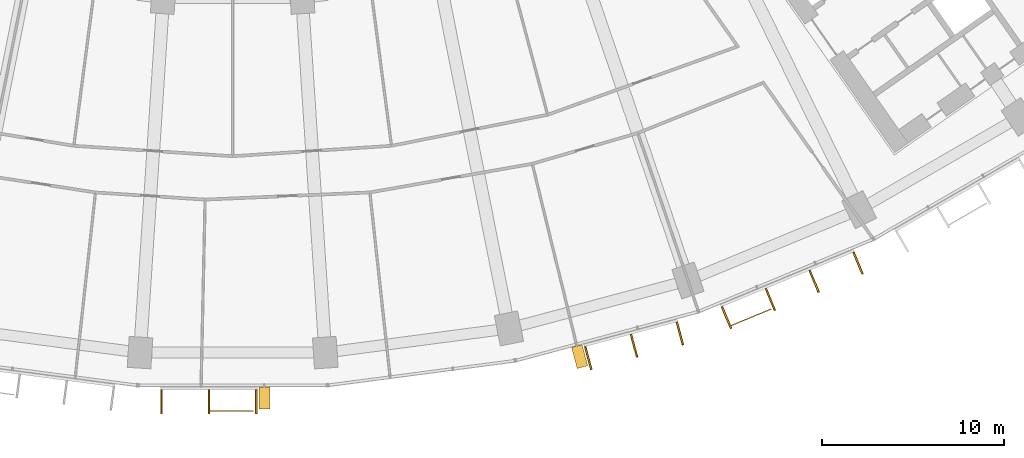
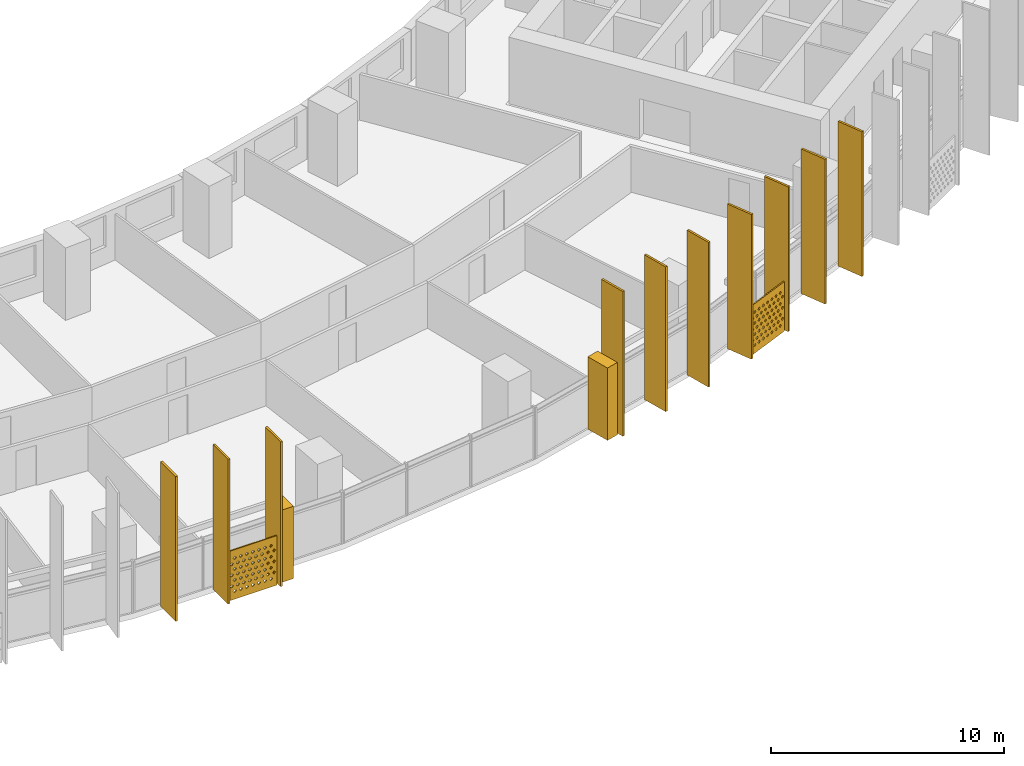
# One storey, part 28 of 31: 14 shading devices.
"""IFC4 building model written with IfcOpenShell, lengths in metres."""

from ifc_helpers import new_model, si_unit, direction, frame, origin, origin_2d, place, context, subcontext, project, spatial, polyline, rectangle, outline, extrude, material, material_profile, profile_set, type_object, element, save


model = new_model("IFC4")

# Units and contexts
model_context = context("Model", 3, precision=1e-05, world=origin(), true_north=direction((0.0, 1.0)))
body_context = subcontext(model_context, "Body", "Model", "MODEL_VIEW")
ifc_project = project(units=[si_unit("LENGTHUNIT", "METRE"), si_unit("AREAUNIT", "SQUARE_METRE"), si_unit("VOLUMEUNIT", "CUBIC_METRE"), si_unit("PLANEANGLEUNIT", "RADIAN"), si_unit("MASSUNIT", "GRAM", prefix="KILO")], contexts=[model_context])

# Site, building, storey
site_placement = place(None, origin())
site = spatial("IfcSite", under=ifc_project, at=site_placement, CompositionType="ELEMENT")
building_placement = place(site_placement, origin())
building = spatial("IfcBuilding", under=site, at=building_placement, Name="Qamariyya Broadcast Tower", CompositionType="ELEMENT")
storey_placement = place(building_placement, frame((0.0, 0.0, 48.10009765625)))
storey = spatial("IfcBuildingStorey", under=building, at=storey_placement, Name="L08", CompositionType="ELEMENT", Elevation=48.10009765625)

# Shading devices
ifc_material_1 = material(Name="Steel S355 powder coated deep red", Category="steel")
shading_device_type_1 = type_object("IfcShadingDeviceType", Name="Deep red frame, powder coated steel box section", PredefinedType="USERDEFINED", material=ifc_material_1)
shading_device_1_placement = place(storey_placement, origin())
element("IfcShadingDevice", 1, at=shading_device_1_placement, inside=storey, type_object=shading_device_type_1, Name="e-frm-B1-F4-posta-L08", ObjectType="FRAME", PredefinedType="USERDEFINED", context=body_context, shape_type="SweptSolid", body=[
    extrude(outline(polyline([(1.4365234375, -79.4794921875), (1.4365234375, -80.679443359375), (2.036376953125, -80.679443359375), (2.036376953125, -79.4794921875), (1.4365234375, -79.4794921875)])), origin(), (0.0, 0.0, 1.0), 3.7998046875),
])
shading_device_2_placement = place(storey_placement, origin())
element("IfcShadingDevice", 2, at=shading_device_2_placement, inside=storey, type_object=shading_device_type_1, Name="e-frm-B1-F4-postb-L08", ObjectType="FRAME", PredefinedType="USERDEFINED", context=body_context, shape_type="SweptSolid", body=[
    extrude(outline(polyline([(18.603759765625, -77.29833984375), (18.914306640625, -78.45751953125), (19.493896484375, -78.30224609375), (19.183349609375, -77.14306640625), (18.603759765625, -77.29833984375)])), origin(), (0.0, 0.0, 1.0), 3.7998046875),
])
ifc_material_2 = material(Name="Perforated glazed terracotta", Category="masonry")
ifc_material_profile_1 = material_profile(ifc_material_2, outline(polyline([(-1.199951171875, -1.300048828125), (1.199951171875, -1.300048828125), (1.199951171875, 1.300048828125), (-1.199951171875, 1.300048828125), (-1.199951171875, -1.300048828125)]), holes=[polyline([(-0.81494140625, -0.86669921875), (-0.89990234375, -0.78173828125), (-0.985107421875, -0.86669921875), (-0.89990234375, -0.95166015625), (-0.81494140625, -0.86669921875)]), polyline([(-0.514892578125, -0.86669921875), (-0.60009765625, -0.78173828125), (-0.68505859375, -0.86669921875), (-0.60009765625, -0.95166015625), (-0.514892578125, -0.86669921875)]), polyline([(-0.215087890625, -0.86669921875), (-0.300048828125, -0.78173828125), (-0.385009765625, -0.86669921875), (-0.300048828125, -0.95166015625), (-0.215087890625, -0.86669921875)]), polyline([(0.0849609375, -0.86669921875), (0.0, -0.78173828125), (-0.0849609375, -0.86669921875), (0.0, -0.95166015625), (0.0849609375, -0.86669921875)]), polyline([(0.385009765625, -0.86669921875), (0.300048828125, -0.78173828125), (0.215087890625, -0.86669921875), (0.300048828125, -0.95166015625), (0.385009765625, -0.86669921875)]), polyline([(0.68505859375, -0.86669921875), (0.60009765625, -0.78173828125), (0.514892578125, -0.86669921875), (0.60009765625, -0.95166015625), (0.68505859375, -0.86669921875)]), polyline([(0.985107421875, -0.86669921875), (0.89990234375, -0.78173828125), (0.81494140625, -0.86669921875), (0.89990234375, -0.95166015625), (0.985107421875, -0.86669921875)]), polyline([(-0.965087890625, -0.577880859375), (-1.050048828125, -0.49267578125), (-1.135009765625, -0.577880859375), (-1.050048828125, -0.662841796875), (-0.965087890625, -0.577880859375)]), polyline([(-0.6650390625, -0.577880859375), (-0.75, -0.49267578125), (-0.8349609375, -0.577880859375), (-0.75, -0.662841796875), (-0.6650390625, -0.577880859375)]), polyline([(-0.364990234375, -0.577880859375), (-0.449951171875, -0.49267578125), (-0.534912109375, -0.577880859375), (-0.449951171875, -0.662841796875), (-0.364990234375, -0.577880859375)]), polyline([(-0.06494140625, -0.577880859375), (-0.14990234375, -0.49267578125), (-0.235107421875, -0.577880859375), (-0.14990234375, -0.662841796875), (-0.06494140625, -0.577880859375)]), polyline([(0.235107421875, -0.577880859375), (0.14990234375, -0.49267578125), (0.06494140625, -0.577880859375), (0.14990234375, -0.662841796875), (0.235107421875, -0.577880859375)]), polyline([(0.534912109375, -0.577880859375), (0.449951171875, -0.49267578125), (0.364990234375, -0.577880859375), (0.449951171875, -0.662841796875), (0.534912109375, -0.577880859375)]), polyline([(0.8349609375, -0.577880859375), (0.75, -0.49267578125), (0.6650390625, -0.577880859375), (0.75, -0.662841796875), (0.8349609375, -0.577880859375)]), polyline([(1.135009765625, -0.577880859375), (1.050048828125, -0.49267578125), (0.965087890625, -0.577880859375), (1.050048828125, -0.662841796875), (1.135009765625, -0.577880859375)]), polyline([(-0.81494140625, -0.288818359375), (-0.89990234375, -0.203857421875), (-0.985107421875, -0.288818359375), (-0.89990234375, -0.373779296875), (-0.81494140625, -0.288818359375)]), polyline([(-0.514892578125, -0.288818359375), (-0.60009765625, -0.203857421875), (-0.68505859375, -0.288818359375), (-0.60009765625, -0.373779296875), (-0.514892578125, -0.288818359375)]), polyline([(-0.215087890625, -0.288818359375), (-0.300048828125, -0.203857421875), (-0.385009765625, -0.288818359375), (-0.300048828125, -0.373779296875), (-0.215087890625, -0.288818359375)]), polyline([(0.0849609375, -0.288818359375), (0.0, -0.203857421875), (-0.0849609375, -0.288818359375), (0.0, -0.373779296875), (0.0849609375, -0.288818359375)]), polyline([(0.385009765625, -0.288818359375), (0.300048828125, -0.203857421875), (0.215087890625, -0.288818359375), (0.300048828125, -0.373779296875), (0.385009765625, -0.288818359375)]), polyline([(0.68505859375, -0.288818359375), (0.60009765625, -0.203857421875), (0.514892578125, -0.288818359375), (0.60009765625, -0.373779296875), (0.68505859375, -0.288818359375)]), polyline([(0.985107421875, -0.288818359375), (0.89990234375, -0.203857421875), (0.81494140625, -0.288818359375), (0.89990234375, -0.373779296875), (0.985107421875, -0.288818359375)]), polyline([(-0.965087890625, 0.0), (-1.050048828125, 0.0849609375), (-1.135009765625, 0.0), (-1.050048828125, -0.0849609375), (-0.965087890625, 0.0)]), polyline([(-0.6650390625, 0.0), (-0.75, 0.0849609375), (-0.8349609375, 0.0), (-0.75, -0.0849609375), (-0.6650390625, 0.0)]), polyline([(-0.364990234375, 0.0), (-0.449951171875, 0.0849609375), (-0.534912109375, 0.0), (-0.449951171875, -0.0849609375), (-0.364990234375, 0.0)]), polyline([(-0.06494140625, 0.0), (-0.14990234375, 0.0849609375), (-0.235107421875, 0.0), (-0.14990234375, -0.0849609375), (-0.06494140625, 0.0)]), polyline([(0.235107421875, 0.0), (0.14990234375, 0.0849609375), (0.06494140625, 0.0), (0.14990234375, -0.0849609375), (0.235107421875, 0.0)]), polyline([(0.534912109375, 0.0), (0.449951171875, 0.0849609375), (0.364990234375, 0.0), (0.449951171875, -0.0849609375), (0.534912109375, 0.0)]), polyline([(0.8349609375, 0.0), (0.75, 0.0849609375), (0.6650390625, 0.0), (0.75, -0.0849609375), (0.8349609375, 0.0)]), polyline([(1.135009765625, 0.0), (1.050048828125, 0.0849609375), (0.965087890625, 0.0), (1.050048828125, -0.0849609375), (1.135009765625, 0.0)]), polyline([(-0.81494140625, 0.288818359375), (-0.89990234375, 0.373779296875), (-0.985107421875, 0.288818359375), (-0.89990234375, 0.203857421875), (-0.81494140625, 0.288818359375)]), polyline([(-0.514892578125, 0.288818359375), (-0.60009765625, 0.373779296875), (-0.68505859375, 0.288818359375), (-0.60009765625, 0.203857421875), (-0.514892578125, 0.288818359375)]), polyline([(-0.215087890625, 0.288818359375), (-0.300048828125, 0.373779296875), (-0.385009765625, 0.288818359375), (-0.300048828125, 0.203857421875), (-0.215087890625, 0.288818359375)]), polyline([(0.0849609375, 0.288818359375), (0.0, 0.373779296875), (-0.0849609375, 0.288818359375), (0.0, 0.203857421875), (0.0849609375, 0.288818359375)]), polyline([(0.385009765625, 0.288818359375), (0.300048828125, 0.373779296875), (0.215087890625, 0.288818359375), (0.300048828125, 0.203857421875), (0.385009765625, 0.288818359375)]), polyline([(0.68505859375, 0.288818359375), (0.60009765625, 0.373779296875), (0.514892578125, 0.288818359375), (0.60009765625, 0.203857421875), (0.68505859375, 0.288818359375)]), polyline([(0.985107421875, 0.288818359375), (0.89990234375, 0.373779296875), (0.81494140625, 0.288818359375), (0.89990234375, 0.203857421875), (0.985107421875, 0.288818359375)]), polyline([(-0.965087890625, 0.577880859375), (-1.050048828125, 0.662841796875), (-1.135009765625, 0.577880859375), (-1.050048828125, 0.49267578125), (-0.965087890625, 0.577880859375)]), polyline([(-0.6650390625, 0.577880859375), (-0.75, 0.662841796875), (-0.8349609375, 0.577880859375), (-0.75, 0.49267578125), (-0.6650390625, 0.577880859375)]), polyline([(-0.364990234375, 0.577880859375), (-0.449951171875, 0.662841796875), (-0.534912109375, 0.577880859375), (-0.449951171875, 0.49267578125), (-0.364990234375, 0.577880859375)]), polyline([(-0.06494140625, 0.577880859375), (-0.14990234375, 0.662841796875), (-0.235107421875, 0.577880859375), (-0.14990234375, 0.49267578125), (-0.06494140625, 0.577880859375)]), polyline([(0.235107421875, 0.577880859375), (0.14990234375, 0.662841796875), (0.06494140625, 0.577880859375), (0.14990234375, 0.49267578125), (0.235107421875, 0.577880859375)]), polyline([(0.534912109375, 0.577880859375), (0.449951171875, 0.662841796875), (0.364990234375, 0.577880859375), (0.449951171875, 0.49267578125), (0.534912109375, 0.577880859375)]), polyline([(0.8349609375, 0.577880859375), (0.75, 0.662841796875), (0.6650390625, 0.577880859375), (0.75, 0.49267578125), (0.8349609375, 0.577880859375)]), polyline([(1.135009765625, 0.577880859375), (1.050048828125, 0.662841796875), (0.965087890625, 0.577880859375), (1.050048828125, 0.49267578125), (1.135009765625, 0.577880859375)]), polyline([(-0.81494140625, 0.86669921875), (-0.89990234375, 0.95166015625), (-0.985107421875, 0.86669921875), (-0.89990234375, 0.78173828125), (-0.81494140625, 0.86669921875)]), polyline([(-0.514892578125, 0.86669921875), (-0.60009765625, 0.95166015625), (-0.68505859375, 0.86669921875), (-0.60009765625, 0.78173828125), (-0.514892578125, 0.86669921875)]), polyline([(-0.215087890625, 0.86669921875), (-0.300048828125, 0.95166015625), (-0.385009765625, 0.86669921875), (-0.300048828125, 0.78173828125), (-0.215087890625, 0.86669921875)]), polyline([(0.0849609375, 0.86669921875), (0.0, 0.95166015625), (-0.0849609375, 0.86669921875), (0.0, 0.78173828125), (0.0849609375, 0.86669921875)]), polyline([(0.385009765625, 0.86669921875), (0.300048828125, 0.95166015625), (0.215087890625, 0.86669921875), (0.300048828125, 0.78173828125), (0.385009765625, 0.86669921875)]), polyline([(0.68505859375, 0.86669921875), (0.60009765625, 0.95166015625), (0.514892578125, 0.86669921875), (0.60009765625, 0.78173828125), (0.68505859375, 0.86669921875)]), polyline([(0.985107421875, 0.86669921875), (0.89990234375, 0.95166015625), (0.81494140625, 0.86669921875), (0.89990234375, 0.78173828125), (0.985107421875, 0.86669921875)])]))
ifc_profile_set_1 = profile_set([ifc_material_profile_1], Name="Perforated glazed terracotta")
shading_device_type_2 = type_object("IfcShadingDeviceType", Name="Perforated terracotta screen 2400 x 2600", PredefinedType="USERDEFINED", material=ifc_profile_set_1)
shading_device_3_placement = place(storey_placement, frame((-0.05224609375, -80.74951171875, 1.349853515625), z_axis=(0.0, -1.0, 0.0), x_axis=(1.0, 0.0, 0.0)))
element("IfcShadingDevice", 3, at=shading_device_3_placement, inside=storey, type_object=shading_device_type_2, Name="e-scr-L08-08-1", ObjectType="SCREEN", PredefinedType="USERDEFINED", context=body_context, shape_type="SweptSolid", body=[
    extrude(outline(polyline([(-1.199951171875, -1.300048828125), (1.199951171875, -1.300048828125), (1.199951171875, 1.300048828125), (-1.199951171875, 1.300048828125), (-1.199951171875, -1.300048828125)]), holes=[polyline([(-0.81494140625, -0.86669921875), (-0.89990234375, -0.78173828125), (-0.985107421875, -0.86669921875), (-0.89990234375, -0.95166015625), (-0.81494140625, -0.86669921875)]), polyline([(-0.514892578125, -0.86669921875), (-0.60009765625, -0.78173828125), (-0.68505859375, -0.86669921875), (-0.60009765625, -0.95166015625), (-0.514892578125, -0.86669921875)]), polyline([(-0.215087890625, -0.86669921875), (-0.300048828125, -0.78173828125), (-0.385009765625, -0.86669921875), (-0.300048828125, -0.95166015625), (-0.215087890625, -0.86669921875)]), polyline([(0.0849609375, -0.86669921875), (0.0, -0.78173828125), (-0.0849609375, -0.86669921875), (0.0, -0.95166015625), (0.0849609375, -0.86669921875)]), polyline([(0.385009765625, -0.86669921875), (0.300048828125, -0.78173828125), (0.215087890625, -0.86669921875), (0.300048828125, -0.95166015625), (0.385009765625, -0.86669921875)]), polyline([(0.68505859375, -0.86669921875), (0.60009765625, -0.78173828125), (0.514892578125, -0.86669921875), (0.60009765625, -0.95166015625), (0.68505859375, -0.86669921875)]), polyline([(0.985107421875, -0.86669921875), (0.89990234375, -0.78173828125), (0.81494140625, -0.86669921875), (0.89990234375, -0.95166015625), (0.985107421875, -0.86669921875)]), polyline([(-0.965087890625, -0.577880859375), (-1.050048828125, -0.49267578125), (-1.135009765625, -0.577880859375), (-1.050048828125, -0.662841796875), (-0.965087890625, -0.577880859375)]), polyline([(-0.6650390625, -0.577880859375), (-0.75, -0.49267578125), (-0.8349609375, -0.577880859375), (-0.75, -0.662841796875), (-0.6650390625, -0.577880859375)]), polyline([(-0.364990234375, -0.577880859375), (-0.449951171875, -0.49267578125), (-0.534912109375, -0.577880859375), (-0.449951171875, -0.662841796875), (-0.364990234375, -0.577880859375)]), polyline([(-0.06494140625, -0.577880859375), (-0.14990234375, -0.49267578125), (-0.235107421875, -0.577880859375), (-0.14990234375, -0.662841796875), (-0.06494140625, -0.577880859375)]), polyline([(0.235107421875, -0.577880859375), (0.14990234375, -0.49267578125), (0.06494140625, -0.577880859375), (0.14990234375, -0.662841796875), (0.235107421875, -0.577880859375)]), polyline([(0.534912109375, -0.577880859375), (0.449951171875, -0.49267578125), (0.364990234375, -0.577880859375), (0.449951171875, -0.662841796875), (0.534912109375, -0.577880859375)]), polyline([(0.8349609375, -0.577880859375), (0.75, -0.49267578125), (0.6650390625, -0.577880859375), (0.75, -0.662841796875), (0.8349609375, -0.577880859375)]), polyline([(1.135009765625, -0.577880859375), (1.050048828125, -0.49267578125), (0.965087890625, -0.577880859375), (1.050048828125, -0.662841796875), (1.135009765625, -0.577880859375)]), polyline([(-0.81494140625, -0.288818359375), (-0.89990234375, -0.203857421875), (-0.985107421875, -0.288818359375), (-0.89990234375, -0.373779296875), (-0.81494140625, -0.288818359375)]), polyline([(-0.514892578125, -0.288818359375), (-0.60009765625, -0.203857421875), (-0.68505859375, -0.288818359375), (-0.60009765625, -0.373779296875), (-0.514892578125, -0.288818359375)]), polyline([(-0.215087890625, -0.288818359375), (-0.300048828125, -0.203857421875), (-0.385009765625, -0.288818359375), (-0.300048828125, -0.373779296875), (-0.215087890625, -0.288818359375)]), polyline([(0.0849609375, -0.288818359375), (0.0, -0.203857421875), (-0.0849609375, -0.288818359375), (0.0, -0.373779296875), (0.0849609375, -0.288818359375)]), polyline([(0.385009765625, -0.288818359375), (0.300048828125, -0.203857421875), (0.215087890625, -0.288818359375), (0.300048828125, -0.373779296875), (0.385009765625, -0.288818359375)]), polyline([(0.68505859375, -0.288818359375), (0.60009765625, -0.203857421875), (0.514892578125, -0.288818359375), (0.60009765625, -0.373779296875), (0.68505859375, -0.288818359375)]), polyline([(0.985107421875, -0.288818359375), (0.89990234375, -0.203857421875), (0.81494140625, -0.288818359375), (0.89990234375, -0.373779296875), (0.985107421875, -0.288818359375)]), polyline([(-0.965087890625, 0.0), (-1.050048828125, 0.0849609375), (-1.135009765625, 0.0), (-1.050048828125, -0.0849609375), (-0.965087890625, 0.0)]), polyline([(-0.6650390625, 0.0), (-0.75, 0.0849609375), (-0.8349609375, 0.0), (-0.75, -0.0849609375), (-0.6650390625, 0.0)]), polyline([(-0.364990234375, 0.0), (-0.449951171875, 0.0849609375), (-0.534912109375, 0.0), (-0.449951171875, -0.0849609375), (-0.364990234375, 0.0)]), polyline([(-0.06494140625, 0.0), (-0.14990234375, 0.0849609375), (-0.235107421875, 0.0), (-0.14990234375, -0.0849609375), (-0.06494140625, 0.0)]), polyline([(0.235107421875, 0.0), (0.14990234375, 0.0849609375), (0.06494140625, 0.0), (0.14990234375, -0.0849609375), (0.235107421875, 0.0)]), polyline([(0.534912109375, 0.0), (0.449951171875, 0.0849609375), (0.364990234375, 0.0), (0.449951171875, -0.0849609375), (0.534912109375, 0.0)]), polyline([(0.8349609375, 0.0), (0.75, 0.0849609375), (0.6650390625, 0.0), (0.75, -0.0849609375), (0.8349609375, 0.0)]), polyline([(1.135009765625, 0.0), (1.050048828125, 0.0849609375), (0.965087890625, 0.0), (1.050048828125, -0.0849609375), (1.135009765625, 0.0)]), polyline([(-0.81494140625, 0.288818359375), (-0.89990234375, 0.373779296875), (-0.985107421875, 0.288818359375), (-0.89990234375, 0.203857421875), (-0.81494140625, 0.288818359375)]), polyline([(-0.514892578125, 0.288818359375), (-0.60009765625, 0.373779296875), (-0.68505859375, 0.288818359375), (-0.60009765625, 0.203857421875), (-0.514892578125, 0.288818359375)]), polyline([(-0.215087890625, 0.288818359375), (-0.300048828125, 0.373779296875), (-0.385009765625, 0.288818359375), (-0.300048828125, 0.203857421875), (-0.215087890625, 0.288818359375)]), polyline([(0.0849609375, 0.288818359375), (0.0, 0.373779296875), (-0.0849609375, 0.288818359375), (0.0, 0.203857421875), (0.0849609375, 0.288818359375)]), polyline([(0.385009765625, 0.288818359375), (0.300048828125, 0.373779296875), (0.215087890625, 0.288818359375), (0.300048828125, 0.203857421875), (0.385009765625, 0.288818359375)]), polyline([(0.68505859375, 0.288818359375), (0.60009765625, 0.373779296875), (0.514892578125, 0.288818359375), (0.60009765625, 0.203857421875), (0.68505859375, 0.288818359375)]), polyline([(0.985107421875, 0.288818359375), (0.89990234375, 0.373779296875), (0.81494140625, 0.288818359375), (0.89990234375, 0.203857421875), (0.985107421875, 0.288818359375)]), polyline([(-0.965087890625, 0.577880859375), (-1.050048828125, 0.662841796875), (-1.135009765625, 0.577880859375), (-1.050048828125, 0.49267578125), (-0.965087890625, 0.577880859375)]), polyline([(-0.6650390625, 0.577880859375), (-0.75, 0.662841796875), (-0.8349609375, 0.577880859375), (-0.75, 0.49267578125), (-0.6650390625, 0.577880859375)]), polyline([(-0.364990234375, 0.577880859375), (-0.449951171875, 0.662841796875), (-0.534912109375, 0.577880859375), (-0.449951171875, 0.49267578125), (-0.364990234375, 0.577880859375)]), polyline([(-0.06494140625, 0.577880859375), (-0.14990234375, 0.662841796875), (-0.235107421875, 0.577880859375), (-0.14990234375, 0.49267578125), (-0.06494140625, 0.577880859375)]), polyline([(0.235107421875, 0.577880859375), (0.14990234375, 0.662841796875), (0.06494140625, 0.577880859375), (0.14990234375, 0.49267578125), (0.235107421875, 0.577880859375)]), polyline([(0.534912109375, 0.577880859375), (0.449951171875, 0.662841796875), (0.364990234375, 0.577880859375), (0.449951171875, 0.49267578125), (0.534912109375, 0.577880859375)]), polyline([(0.8349609375, 0.577880859375), (0.75, 0.662841796875), (0.6650390625, 0.577880859375), (0.75, 0.49267578125), (0.8349609375, 0.577880859375)]), polyline([(1.135009765625, 0.577880859375), (1.050048828125, 0.662841796875), (0.965087890625, 0.577880859375), (1.050048828125, 0.49267578125), (1.135009765625, 0.577880859375)]), polyline([(-0.81494140625, 0.86669921875), (-0.89990234375, 0.95166015625), (-0.985107421875, 0.86669921875), (-0.89990234375, 0.78173828125), (-0.81494140625, 0.86669921875)]), polyline([(-0.514892578125, 0.86669921875), (-0.60009765625, 0.95166015625), (-0.68505859375, 0.86669921875), (-0.60009765625, 0.78173828125), (-0.514892578125, 0.86669921875)]), polyline([(-0.215087890625, 0.86669921875), (-0.300048828125, 0.95166015625), (-0.385009765625, 0.86669921875), (-0.300048828125, 0.78173828125), (-0.215087890625, 0.86669921875)]), polyline([(0.0849609375, 0.86669921875), (0.0, 0.95166015625), (-0.0849609375, 0.86669921875), (0.0, 0.78173828125), (0.0849609375, 0.86669921875)]), polyline([(0.385009765625, 0.86669921875), (0.300048828125, 0.95166015625), (0.215087890625, 0.86669921875), (0.300048828125, 0.78173828125), (0.385009765625, 0.86669921875)]), polyline([(0.68505859375, 0.86669921875), (0.60009765625, 0.95166015625), (0.514892578125, 0.86669921875), (0.60009765625, 0.78173828125), (0.68505859375, 0.86669921875)]), polyline([(0.985107421875, 0.86669921875), (0.89990234375, 0.95166015625), (0.81494140625, 0.86669921875), (0.89990234375, 0.78173828125), (0.985107421875, 0.86669921875)])]), origin(), (0.0, 0.0, 1.0), 0.06005859375),
])
shading_device_4_placement = place(storey_placement, frame((28.44677734375, -75.61962890625, 1.349853515625), z_axis=(0.382591441855, -0.923917630863, 0.0), x_axis=(0.923917630863, 0.382591441855, 0.0)))
element("IfcShadingDevice", 4, at=shading_device_4_placement, inside=storey, type_object=shading_device_type_2, Name="e-scr-L08-11-0", ObjectType="SCREEN", PredefinedType="USERDEFINED", context=body_context, shape_type="SweptSolid", body=[
    extrude(outline(polyline([(-1.199951171875, -1.300048828125), (1.199951171875, -1.300048828125), (1.199951171875, 1.300048828125), (-1.199951171875, 1.300048828125), (-1.199951171875, -1.300048828125)]), holes=[polyline([(-0.81494140625, -0.86669921875), (-0.89990234375, -0.78173828125), (-0.985107421875, -0.86669921875), (-0.89990234375, -0.95166015625), (-0.81494140625, -0.86669921875)]), polyline([(-0.514892578125, -0.86669921875), (-0.60009765625, -0.78173828125), (-0.68505859375, -0.86669921875), (-0.60009765625, -0.95166015625), (-0.514892578125, -0.86669921875)]), polyline([(-0.215087890625, -0.86669921875), (-0.300048828125, -0.78173828125), (-0.385009765625, -0.86669921875), (-0.300048828125, -0.95166015625), (-0.215087890625, -0.86669921875)]), polyline([(0.0849609375, -0.86669921875), (0.0, -0.78173828125), (-0.0849609375, -0.86669921875), (0.0, -0.95166015625), (0.0849609375, -0.86669921875)]), polyline([(0.385009765625, -0.86669921875), (0.300048828125, -0.78173828125), (0.215087890625, -0.86669921875), (0.300048828125, -0.95166015625), (0.385009765625, -0.86669921875)]), polyline([(0.68505859375, -0.86669921875), (0.60009765625, -0.78173828125), (0.514892578125, -0.86669921875), (0.60009765625, -0.95166015625), (0.68505859375, -0.86669921875)]), polyline([(0.985107421875, -0.86669921875), (0.89990234375, -0.78173828125), (0.81494140625, -0.86669921875), (0.89990234375, -0.95166015625), (0.985107421875, -0.86669921875)]), polyline([(-0.965087890625, -0.577880859375), (-1.050048828125, -0.49267578125), (-1.135009765625, -0.577880859375), (-1.050048828125, -0.662841796875), (-0.965087890625, -0.577880859375)]), polyline([(-0.6650390625, -0.577880859375), (-0.75, -0.49267578125), (-0.8349609375, -0.577880859375), (-0.75, -0.662841796875), (-0.6650390625, -0.577880859375)]), polyline([(-0.364990234375, -0.577880859375), (-0.449951171875, -0.49267578125), (-0.534912109375, -0.577880859375), (-0.449951171875, -0.662841796875), (-0.364990234375, -0.577880859375)]), polyline([(-0.06494140625, -0.577880859375), (-0.14990234375, -0.49267578125), (-0.235107421875, -0.577880859375), (-0.14990234375, -0.662841796875), (-0.06494140625, -0.577880859375)]), polyline([(0.235107421875, -0.577880859375), (0.14990234375, -0.49267578125), (0.06494140625, -0.577880859375), (0.14990234375, -0.662841796875), (0.235107421875, -0.577880859375)]), polyline([(0.534912109375, -0.577880859375), (0.449951171875, -0.49267578125), (0.364990234375, -0.577880859375), (0.449951171875, -0.662841796875), (0.534912109375, -0.577880859375)]), polyline([(0.8349609375, -0.577880859375), (0.75, -0.49267578125), (0.6650390625, -0.577880859375), (0.75, -0.662841796875), (0.8349609375, -0.577880859375)]), polyline([(1.135009765625, -0.577880859375), (1.050048828125, -0.49267578125), (0.965087890625, -0.577880859375), (1.050048828125, -0.662841796875), (1.135009765625, -0.577880859375)]), polyline([(-0.81494140625, -0.288818359375), (-0.89990234375, -0.203857421875), (-0.985107421875, -0.288818359375), (-0.89990234375, -0.373779296875), (-0.81494140625, -0.288818359375)]), polyline([(-0.514892578125, -0.288818359375), (-0.60009765625, -0.203857421875), (-0.68505859375, -0.288818359375), (-0.60009765625, -0.373779296875), (-0.514892578125, -0.288818359375)]), polyline([(-0.215087890625, -0.288818359375), (-0.300048828125, -0.203857421875), (-0.385009765625, -0.288818359375), (-0.300048828125, -0.373779296875), (-0.215087890625, -0.288818359375)]), polyline([(0.0849609375, -0.288818359375), (0.0, -0.203857421875), (-0.0849609375, -0.288818359375), (0.0, -0.373779296875), (0.0849609375, -0.288818359375)]), polyline([(0.385009765625, -0.288818359375), (0.300048828125, -0.203857421875), (0.215087890625, -0.288818359375), (0.300048828125, -0.373779296875), (0.385009765625, -0.288818359375)]), polyline([(0.68505859375, -0.288818359375), (0.60009765625, -0.203857421875), (0.514892578125, -0.288818359375), (0.60009765625, -0.373779296875), (0.68505859375, -0.288818359375)]), polyline([(0.985107421875, -0.288818359375), (0.89990234375, -0.203857421875), (0.81494140625, -0.288818359375), (0.89990234375, -0.373779296875), (0.985107421875, -0.288818359375)]), polyline([(-0.965087890625, 0.0), (-1.050048828125, 0.0849609375), (-1.135009765625, 0.0), (-1.050048828125, -0.0849609375), (-0.965087890625, 0.0)]), polyline([(-0.6650390625, 0.0), (-0.75, 0.0849609375), (-0.8349609375, 0.0), (-0.75, -0.0849609375), (-0.6650390625, 0.0)]), polyline([(-0.364990234375, 0.0), (-0.449951171875, 0.0849609375), (-0.534912109375, 0.0), (-0.449951171875, -0.0849609375), (-0.364990234375, 0.0)]), polyline([(-0.06494140625, 0.0), (-0.14990234375, 0.0849609375), (-0.235107421875, 0.0), (-0.14990234375, -0.0849609375), (-0.06494140625, 0.0)]), polyline([(0.235107421875, 0.0), (0.14990234375, 0.0849609375), (0.06494140625, 0.0), (0.14990234375, -0.0849609375), (0.235107421875, 0.0)]), polyline([(0.534912109375, 0.0), (0.449951171875, 0.0849609375), (0.364990234375, 0.0), (0.449951171875, -0.0849609375), (0.534912109375, 0.0)]), polyline([(0.8349609375, 0.0), (0.75, 0.0849609375), (0.6650390625, 0.0), (0.75, -0.0849609375), (0.8349609375, 0.0)]), polyline([(1.135009765625, 0.0), (1.050048828125, 0.0849609375), (0.965087890625, 0.0), (1.050048828125, -0.0849609375), (1.135009765625, 0.0)]), polyline([(-0.81494140625, 0.288818359375), (-0.89990234375, 0.373779296875), (-0.985107421875, 0.288818359375), (-0.89990234375, 0.203857421875), (-0.81494140625, 0.288818359375)]), polyline([(-0.514892578125, 0.288818359375), (-0.60009765625, 0.373779296875), (-0.68505859375, 0.288818359375), (-0.60009765625, 0.203857421875), (-0.514892578125, 0.288818359375)]), polyline([(-0.215087890625, 0.288818359375), (-0.300048828125, 0.373779296875), (-0.385009765625, 0.288818359375), (-0.300048828125, 0.203857421875), (-0.215087890625, 0.288818359375)]), polyline([(0.0849609375, 0.288818359375), (0.0, 0.373779296875), (-0.0849609375, 0.288818359375), (0.0, 0.203857421875), (0.0849609375, 0.288818359375)]), polyline([(0.385009765625, 0.288818359375), (0.300048828125, 0.373779296875), (0.215087890625, 0.288818359375), (0.300048828125, 0.203857421875), (0.385009765625, 0.288818359375)]), polyline([(0.68505859375, 0.288818359375), (0.60009765625, 0.373779296875), (0.514892578125, 0.288818359375), (0.60009765625, 0.203857421875), (0.68505859375, 0.288818359375)]), polyline([(0.985107421875, 0.288818359375), (0.89990234375, 0.373779296875), (0.81494140625, 0.288818359375), (0.89990234375, 0.203857421875), (0.985107421875, 0.288818359375)]), polyline([(-0.965087890625, 0.577880859375), (-1.050048828125, 0.662841796875), (-1.135009765625, 0.577880859375), (-1.050048828125, 0.49267578125), (-0.965087890625, 0.577880859375)]), polyline([(-0.6650390625, 0.577880859375), (-0.75, 0.662841796875), (-0.8349609375, 0.577880859375), (-0.75, 0.49267578125), (-0.6650390625, 0.577880859375)]), polyline([(-0.364990234375, 0.577880859375), (-0.449951171875, 0.662841796875), (-0.534912109375, 0.577880859375), (-0.449951171875, 0.49267578125), (-0.364990234375, 0.577880859375)]), polyline([(-0.06494140625, 0.577880859375), (-0.14990234375, 0.662841796875), (-0.235107421875, 0.577880859375), (-0.14990234375, 0.49267578125), (-0.06494140625, 0.577880859375)]), polyline([(0.235107421875, 0.577880859375), (0.14990234375, 0.662841796875), (0.06494140625, 0.577880859375), (0.14990234375, 0.49267578125), (0.235107421875, 0.577880859375)]), polyline([(0.534912109375, 0.577880859375), (0.449951171875, 0.662841796875), (0.364990234375, 0.577880859375), (0.449951171875, 0.49267578125), (0.534912109375, 0.577880859375)]), polyline([(0.8349609375, 0.577880859375), (0.75, 0.662841796875), (0.6650390625, 0.577880859375), (0.75, 0.49267578125), (0.8349609375, 0.577880859375)]), polyline([(1.135009765625, 0.577880859375), (1.050048828125, 0.662841796875), (0.965087890625, 0.577880859375), (1.050048828125, 0.49267578125), (1.135009765625, 0.577880859375)]), polyline([(-0.81494140625, 0.86669921875), (-0.89990234375, 0.95166015625), (-0.985107421875, 0.86669921875), (-0.89990234375, 0.78173828125), (-0.81494140625, 0.86669921875)]), polyline([(-0.514892578125, 0.86669921875), (-0.60009765625, 0.95166015625), (-0.68505859375, 0.86669921875), (-0.60009765625, 0.78173828125), (-0.514892578125, 0.86669921875)]), polyline([(-0.215087890625, 0.86669921875), (-0.300048828125, 0.95166015625), (-0.385009765625, 0.86669921875), (-0.300048828125, 0.78173828125), (-0.215087890625, 0.86669921875)]), polyline([(0.0849609375, 0.86669921875), (0.0, 0.95166015625), (-0.0849609375, 0.86669921875), (0.0, 0.78173828125), (0.0849609375, 0.86669921875)]), polyline([(0.385009765625, 0.86669921875), (0.300048828125, 0.95166015625), (0.215087890625, 0.86669921875), (0.300048828125, 0.78173828125), (0.385009765625, 0.86669921875)]), polyline([(0.68505859375, 0.86669921875), (0.60009765625, 0.95166015625), (0.514892578125, 0.86669921875), (0.60009765625, 0.78173828125), (0.68505859375, 0.86669921875)]), polyline([(0.985107421875, 0.86669921875), (0.89990234375, 0.95166015625), (0.81494140625, 0.86669921875), (0.89990234375, 0.78173828125), (0.985107421875, 0.86669921875)])]), origin(), (0.0, 0.0, 1.0), 0.06005859375),
])
ifc_material_3 = material(Name="Glazed terracotta", Category="masonry")
ifc_material_profile_2 = material_profile(ifc_material_3, rectangle(XDim=1.300048828125, YDim=0.10009765625, at=origin_2d()))
ifc_profile_set_2 = profile_set([ifc_material_profile_2], Name="Glazed terracotta")
shading_device_type_3 = type_object("IfcShadingDeviceType", Name="Terracotta fin 100 x 1300", PredefinedType="USERDEFINED", material=ifc_profile_set_2)
for number, where, z_axis, x_axis, name in (
    (5, (-3.906982421875, -80.279541015625, 0.0), (0.0, 0.0, 1.0), (0.0, -1.0, 0.0), "e-fin-L08-08-0"),
    (6, (-1.30224609375, -80.279541015625, 0.0), (0.0, 0.0, 1.0), (0.0, -1.0, 0.0), "e-fin-L08-08-1"),
    (7, (1.30224609375, -80.279541015625, 0.0), (0.0, 0.0, 1.0), (0.0, -1.0, 0.0), "e-fin-L08-08-2"),
    (8, (19.519775390625, -77.881103515625, 0.0), (0.0, 0.0, 1.0), (0.258819045103, -0.965925826289, 0.0), "e-fin-L08-10-1"),
    (9, (22.035888671875, -77.20703125, 0.0), (0.0, 0.0, 1.0), (0.258819045103, -0.965925826289, 0.0), "e-fin-L08-10-2"),
    (10, (24.5517578125, -76.53271484375, 0.0), (0.0, 0.0, 1.0), (0.258819045103, -0.965925826289, 0.0), "e-fin-L08-10-3"),
    (11, (27.112060546875, -75.663818359375, 0.0), (0.0, 0.0, 1.0), (0.382683432365, -0.923879532511, 0.0), "e-fin-L08-11-0"),
    (12, (29.518310546875, -74.6669921875, 0.0), (0.0, 0.0, 1.0), (0.382683432365, -0.923879532511, 0.0), "e-fin-L08-11-1"),
    (13, (31.9248046875, -73.670166015625, 0.0), (0.0, 0.0, 1.0), (0.382683432365, -0.923879532511, 0.0), "e-fin-L08-11-2"),
    (14, (34.331298828125, -72.67333984375, 0.0), (0.0, 0.0, 1.0), (0.382683432365, -0.923879532511, 0.0), "e-fin-L08-11-3"),
):
    element("IfcShadingDevice", number, at=place(storey_placement, frame(where, z_axis=z_axis, x_axis=x_axis)), inside=storey, type_object=shading_device_type_3, Name=name, ObjectType="FIN", PredefinedType="USERDEFINED", context=body_context, shape_type="SweptSolid", body=[
        extrude(rectangle(XDim=1.300048828125, YDim=0.10009765625, at=origin_2d()), origin(), (0.0, 0.0, 1.0), 7.599853515625),
    ])

save(model, "model.ifc")
